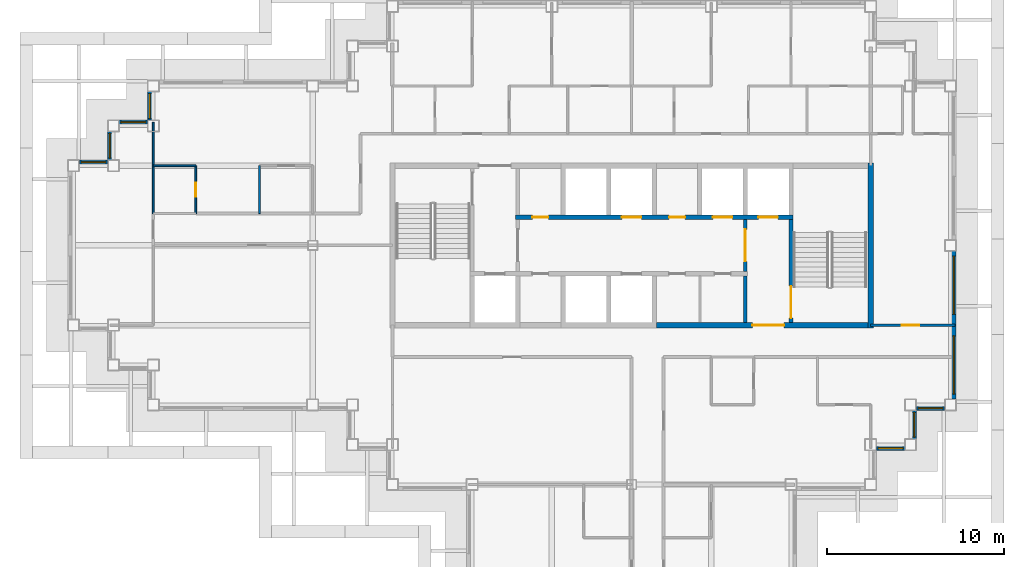
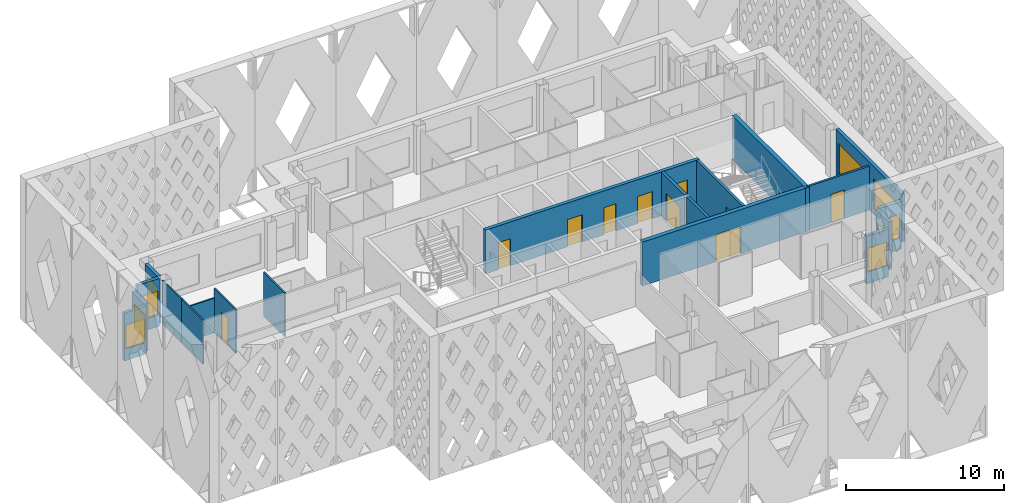
# One storey, part 5 of 17: 20 walls, 10 doors, 9 windows, 19 openings.
"""IFC4 building model written with IfcOpenShell, lengths in metres."""

from ifc_helpers import new_model, si_unit, direction, frame, frame_2d, origin, place, context, subcontext, project, spatial, rectangle, extrude, material, layer, layer_set, type_object, element, fill, save


model = new_model("IFC4")

# Units and contexts
model_context = context("Model", 3, precision=1e-05, world=origin(), true_north=direction((0.0, 1.0)))
body_context = subcontext(model_context, "Body", "Model", "MODEL_VIEW")
ifc_project = project(units=[si_unit("LENGTHUNIT", "METRE"), si_unit("AREAUNIT", "SQUARE_METRE"), si_unit("VOLUMEUNIT", "CUBIC_METRE"), si_unit("PLANEANGLEUNIT", "RADIAN"), si_unit("MASSUNIT", "GRAM", prefix="KILO")], contexts=[model_context])

# Site, building, storey
site_placement = place(None, origin())
site = spatial("IfcSite", under=ifc_project, at=site_placement, CompositionType="ELEMENT")
building_placement = place(site_placement, origin())
building = spatial("IfcBuilding", under=site, at=building_placement, Name="Caravel Reach Hotel and Residences", CompositionType="ELEMENT")
storey_placement = place(building_placement, frame((0.0, 0.0, 222.0)))
storey = spatial("IfcBuildingStorey", under=building, at=storey_placement, Name="L56", CompositionType="ELEMENT", Elevation=222.0)

# Walls
ifc_material_1 = material(Name="Gypsum board on steel stud", Category="steel")
ifc_layer_1 = layer(ifc_material_1, 0.10009765625)
ifc_layer_set_1 = layer_set([ifc_layer_1], Name="Bathroom pod wall 100 mm")
wall_type_1 = type_object("IfcWallType", Name="Bathroom pod wall 100 mm", PredefinedType="PARTITIONING", material=ifc_layer_set_1)
wall_1_placement = place(storey_placement, frame((4.5, 31.5, 0.0), z_axis=(0.0, 0.0, 1.0), x_axis=(1.0, 0.0, 0.0)))
element("IfcWall", 1, at=wall_1_placement, inside=storey, type_object=wall_type_1, Name="L56 wall w080", PredefinedType="PARTITIONING", context=body_context, shape_type="SweptSolid", body=[
    extrude(rectangle(XDim=2.39990234375, YDim=0.10009765625, at=frame_2d((1.199951171875, 0.0))), origin(), (0.0, 0.0, 1.0), 2.679931640625),
])
wall_2_placement = place(storey_placement, frame((4.5, 28.800048828125, 0.0), z_axis=(0.0, 0.0, 1.0), x_axis=(0.0, 1.0, 0.0)))
element("IfcWall", 2, at=wall_2_placement, inside=storey, type_object=wall_type_1, Name="L56 wall w102", PredefinedType="PARTITIONING", context=body_context, shape_type="SweptSolid", body=[
    extrude(rectangle(XDim=2.699951171875, YDim=0.10009765625, at=frame_2d((1.35009765625, 0.0))), origin(), (0.0, 0.0, 1.0), 3.39990234375),
])

# Wall, opening, door
wall_3_placement = place(storey_placement, frame((6.89990234375, 28.800048828125, 0.0), z_axis=(0.0, 0.0, 1.0), x_axis=(0.0, 1.0, 0.0)))
wall_3 = element("IfcWall", 3, at=wall_3_placement, inside=storey, type_object=wall_type_1, Name="L56 wall w104", PredefinedType="PARTITIONING", context=body_context, shape_type="SweptSolid", body=[
    extrude(rectangle(XDim=2.699951171875, YDim=0.10009765625, at=frame_2d((1.35009765625, 0.0))), origin(), (0.0, 0.0, 1.0), 3.39990234375),
])
opening_1_placement = place(wall_3_placement, frame((0.949951171875, 0.0, 0.0)))
opening_1 = element("IfcOpeningElement", 4, at=opening_1_placement, cuts=wall_3, Name="Opening D56-030", PredefinedType="OPENING", context=body_context, shape_type="SweptSolid", body=[
    extrude(rectangle(XDim=0.800048828125, YDim=2.10009765625, at=frame_2d((0.39990234375, 1.050048828125))), frame((0.0, 0.06005859375, 0.0), z_axis=(0.0, -1.0, 0.0), x_axis=(1.0, 0.0, 0.0)), (0.0, 0.0, 1.0), 0.1201171875),
])
ifc_material_2 = material(Name="Timber and steel door leaf", Category="steel")
door_type_1 = type_object("IfcDoorType", Name="Bathroom door 800 x 2100", OperationType="SINGLE_SWING_LEFT", PredefinedType="DOOR", material=ifc_material_2)
door_1_placement = place(opening_1_placement, origin())
door_1 = element("IfcDoor", 5, at=door_1_placement, inside=storey, type_object=door_type_1, Name="door D56-030", OperationType="SINGLE_SWING_RIGHT", OverallHeight=2.10009765625, OverallWidth=0.800048828125, PredefinedType="DOOR", context=body_context, shape_type="SweptSolid", body=[
    extrude(rectangle(XDim=0.800048828125, YDim=2.10009765625, at=frame_2d((0.39990234375, 1.050048828125))), frame((0.0, 0.02490234375, 0.0), z_axis=(0.0, -1.0, 0.0), x_axis=(1.0, 0.0, 0.0)), (0.0, 0.0, 1.0), 0.050048828125),
])
fill(opening_1, door_1)

# Wall
ifc_material_3 = material(Name="Autoclaved aerated block wall")
ifc_layer_2 = layer(ifc_material_3, 0.199951171875)
ifc_layer_set_2 = layer_set([ifc_layer_2], Name="Compartment wall 200 mm EI 120")
wall_type_2 = type_object("IfcWallType", Name="Compartment wall 200 mm EI 120", PredefinedType="PARTITIONING", material=ifc_layer_set_2)
wall_4_placement = place(storey_placement, frame((37.928466796875, 22.64990234375, 0.0), z_axis=(0.0, 0.0, 1.0), x_axis=(0.0, 1.0, 0.0)))
element("IfcWall", 6, at=wall_4_placement, inside=storey, type_object=wall_type_2, Name="L56 store partition", PredefinedType="PARTITIONING", context=body_context, shape_type="SweptSolid", body=[
    extrude(rectangle(XDim=2.625, YDim=0.199951171875, at=frame_2d((1.3125, 0.0))), origin(), (0.0, 0.0, 1.0), 3.39990234375),
])

# Wall, opening, door
ifc_material_4 = material(Name="Concrete C60", Category="concrete")
ifc_layer_3 = layer(ifc_material_4, 0.300048828125)
ifc_layer_set_3 = layer_set([ifc_layer_3], Name="Core wall 300 mm EI 120")
wall_type_3 = type_object("IfcWallType", Name="Core wall 300 mm EI 120", PredefinedType="SHEAR", material=ifc_layer_set_3)
wall_5_placement = place(storey_placement, frame((32.91064453125, 22.5, 0.0), z_axis=(0.0, 0.0, 1.0), x_axis=(1.0, 0.0, 0.0)))
wall_5 = element("IfcWall", 7, at=wall_5_placement, inside=storey, type_object=wall_type_3, Name="L56 core wall S3", PredefinedType="SHEAR", context=body_context, shape_type="SweptSolid", body=[
    extrude(rectangle(XDim=11.939453125, YDim=0.300048828125, at=frame_2d((5.9697265625, 0.0))), origin(), (0.0, 0.0, 1.0), 3.39990234375),
])
opening_2_placement = place(wall_5_placement, frame((5.403564453125, 0.0, 0.0)))
opening_2 = element("IfcOpeningElement", 8, at=opening_2_placement, cuts=wall_5, Name="Opening D56-016", PredefinedType="OPENING", context=body_context, shape_type="SweptSolid", body=[
    extrude(rectangle(XDim=1.800048828125, YDim=2.10009765625, at=frame_2d((0.89990234375, 1.050048828125))), frame((0.0, 0.159912109375, 0.0), z_axis=(0.0, -1.0, 0.0), x_axis=(1.0, 0.0, 0.0)), (0.0, 0.0, 1.0), 0.320068359375),
])
ifc_material_5 = material(Name="Steel fire door leaf", Category="steel")
door_type_2 = type_object("IfcDoorType", Name="Fire lobby door pair 1800 x 2100 EI 90", OperationType="DOUBLE_DOOR_SINGLE_SWING", PredefinedType="DOOR", material=ifc_material_5)
door_2_placement = place(opening_2_placement, origin())
door_2 = element("IfcDoor", 9, at=door_2_placement, inside=storey, type_object=door_type_2, Name="lobby S door pair to corridor", OperationType="DOUBLE_DOOR_SINGLE_SWING", OverallHeight=2.10009765625, OverallWidth=1.800048828125, PredefinedType="DOOR", context=body_context, shape_type="SweptSolid", body=[
    extrude(rectangle(XDim=1.800048828125, YDim=2.10009765625, at=frame_2d((0.89990234375, 1.050048828125))), frame((0.0, 0.02490234375, 0.0), z_axis=(0.0, -1.0, 0.0), x_axis=(1.0, 0.0, 0.0)), (0.0, 0.0, 1.0), 0.050048828125),
])
fill(opening_2, door_2)

# Wall
wall_6_placement = place(storey_placement, frame((45.0, 22.35009765625, 0.0), z_axis=(0.0, 0.0, 1.0), x_axis=(0.0, 1.0, 0.0)))
element("IfcWall", 10, at=wall_6_placement, inside=storey, type_object=wall_type_3, Name="L56 core wall E", PredefinedType="SHEAR", context=body_context, shape_type="SweptSolid", body=[
    extrude(rectangle(XDim=9.2998046875, YDim=0.300048828125, at=frame_2d((4.64990234375, 0.0))), origin(), (0.0, 0.0, 1.0), 3.39990234375),
])

# Wall, opening, door
ifc_material_6 = material(Name="Gypsum board on steel stud, fire-rated", Category="steel")
ifc_layer_4 = layer(ifc_material_6, 0.14990234375)
ifc_layer_set_4 = layer_set([ifc_layer_4], Name="Corridor wall 150 mm EI 60")
wall_type_4 = type_object("IfcWallType", Name="Corridor wall 150 mm EI 60", PredefinedType="PARTITIONING", material=ifc_layer_set_4)
wall_7_placement = place(storey_placement, frame((45.0, 22.5, 0.0), z_axis=(0.0, 0.0, 1.0), x_axis=(1.0, 0.0, 0.0)))
wall_7 = element("IfcWall", 11, at=wall_7_placement, inside=storey, type_object=wall_type_4, Name="L56 wall w006", PredefinedType="PARTITIONING", context=body_context, shape_type="SweptSolid", body=[
    extrude(rectangle(XDim=4.764892578125, YDim=0.14990234375, at=frame_2d((2.38232421875, 0.0))), origin(), (0.0, 0.0, 1.0), 3.39990234375),
])
opening_3_placement = place(wall_7_placement, frame((1.75, 0.0, 0.0)))
opening_3 = element("IfcOpeningElement", 12, at=opening_3_placement, cuts=wall_7, Name="Opening D56-044", PredefinedType="OPENING", context=body_context, shape_type="SweptSolid", body=[
    extrude(rectangle(XDim=1.0, YDim=2.199951171875, at=frame_2d((0.5, 1.10009765625))), frame((0.0, 0.0849609375, 0.0), z_axis=(0.0, -1.0, 0.0), x_axis=(1.0, 0.0, 0.0)), (0.0, 0.0, 1.0), 0.169921875),
])
ifc_material_7 = material(Name="Steel fire door leaf", Category="steel")
door_type_3 = type_object("IfcDoorType", Name="Flat entrance door 1000 x 2200 EI 60", OperationType="SINGLE_SWING_LEFT", PredefinedType="DOOR", material=ifc_material_7)
door_3_placement = place(opening_3_placement, origin())
door_3 = element("IfcDoor", 13, at=door_3_placement, inside=storey, type_object=door_type_3, Name="door D56-044", OperationType="SINGLE_SWING_RIGHT", OverallHeight=2.199951171875, OverallWidth=1.0, PredefinedType="DOOR", context=body_context, shape_type="SweptSolid", body=[
    extrude(rectangle(XDim=1.0, YDim=2.199951171875, at=frame_2d((0.5, 1.10009765625))), frame((0.0, 0.02490234375, 0.0), z_axis=(0.0, -1.0, 0.0), x_axis=(1.0, 0.0, 0.0)), (0.0, 0.0, 1.0), 0.050048828125),
])
fill(opening_3, door_3)

# Wall, opening, window
ifc_material_8 = material(Name="Insulated rainscreen wall, aluminium cladding", Category="aluminium")
ifc_layer_5 = layer(ifc_material_8, 0.25)
ifc_layer_set_5 = layer_set([ifc_layer_5], Name="EW1 Tower rainscreen wall")
wall_type_5 = type_object("IfcWallType", Name="EW1 Tower rainscreen wall", PredefinedType="SOLIDWALL", material=ifc_layer_set_5)
wall_8_placement = place(storey_placement, frame((45.324951171875, 15.550048828125, 0.0), z_axis=(0.0, 0.0, 1.0), x_axis=(1.0, 0.0, 0.0)))
wall_8 = element("IfcWall", 14, at=wall_8_placement, inside=storey, type_object=wall_type_5, Name="External wall L56 S3.1", PredefinedType="SOLIDWALL", context=body_context, shape_type="SweptSolid", body=[
    extrude(rectangle(XDim=1.60009765625, YDim=0.25, at=frame_2d((0.800048828125, 0.0))), origin(), (0.0, 0.0, 1.0), 3.699951171875),
])
opening_4_placement = place(wall_8_placement, frame((0.10009765625, 0.0, 0.89990234375)))
opening_4 = element("IfcOpeningElement", 15, at=opening_4_placement, cuts=wall_8, Name="Opening WN22", PredefinedType="OPENING", context=body_context, shape_type="SweptSolid", body=[
    extrude(rectangle(XDim=1.39990234375, YDim=1.85009765625, at=frame_2d((0.699951171875, 0.925048828125))), frame((0.0, 0.135009765625, 0.0), z_axis=(0.0, -1.0, 0.0), x_axis=(1.0, 0.0, 0.0)), (0.0, 0.0, 1.0), 0.27001953125),
])
ifc_material_9 = material(Name="Dark low-e glazing in black aluminium frame", Category="aluminium")
window_type_1 = type_object("IfcWindowType", Name="Residence bedroom window 1400 x 1850", PartitioningType="SINGLE_PANEL", PredefinedType="WINDOW", material=ifc_material_9)
window_1_placement = place(opening_4_placement, origin())
window_1 = element("IfcWindow", 16, at=window_1_placement, inside=storey, type_object=window_type_1, Name="Window L56 S3.1.1", OverallHeight=1.85009765625, OverallWidth=1.39990234375, PartitioningType="SINGLE_PANEL", PredefinedType="WINDOW", context=body_context, shape_type="SweptSolid", body=[
    extrude(rectangle(XDim=1.39990234375, YDim=1.85009765625, at=frame_2d((0.699951171875, 0.925048828125))), frame((0.0, 0.030029296875, 0.0), z_axis=(0.0, -1.0, 0.0), x_axis=(1.0, 0.0, 0.0)), (0.0, 0.0, 1.0), 0.06005859375),
])
fill(opening_4, window_1)

wall_9_placement = place(storey_placement, frame((47.449951171875, 16.074951171875, 0.0), z_axis=(0.0, 0.0, 1.0), x_axis=(0.0, 1.0, 0.0)))
wall_9 = element("IfcWall", 17, at=wall_9_placement, inside=storey, type_object=wall_type_5, Name="External wall L56 E4.1", PredefinedType="SOLIDWALL", context=body_context, shape_type="SweptSolid", body=[
    extrude(rectangle(XDim=1.60009765625, YDim=0.25, at=frame_2d((0.800048828125, 0.0))), origin(), (0.0, 0.0, 1.0), 3.699951171875),
])
opening_5_placement = place(wall_9_placement, frame((0.10009765625, 0.0, 0.89990234375)))
opening_5 = element("IfcOpeningElement", 18, at=opening_5_placement, cuts=wall_9, Name="Opening WN22", PredefinedType="OPENING", context=body_context, shape_type="SweptSolid", body=[
    extrude(rectangle(XDim=1.39990234375, YDim=1.85009765625, at=frame_2d((0.699951171875, 0.925048828125))), frame((0.0, 0.135009765625, 0.0), z_axis=(0.0, -1.0, 0.0), x_axis=(1.0, 0.0, 0.0)), (0.0, 0.0, 1.0), 0.27001953125),
])
window_2_placement = place(opening_5_placement, origin())
window_2 = element("IfcWindow", 19, at=window_2_placement, inside=storey, type_object=window_type_1, Name="Window L56 E4.1.1", OverallHeight=1.85009765625, OverallWidth=1.39990234375, PartitioningType="SINGLE_PANEL", PredefinedType="WINDOW", context=body_context, shape_type="SweptSolid", body=[
    extrude(rectangle(XDim=1.39990234375, YDim=1.85009765625, at=frame_2d((0.699951171875, 0.925048828125))), frame((0.0, 0.030029296875, 0.0), z_axis=(0.0, -1.0, 0.0), x_axis=(1.0, 0.0, 0.0)), (0.0, 0.0, 1.0), 0.06005859375),
])
fill(opening_5, window_2)

wall_10_placement = place(storey_placement, frame((47.574951171875, 17.800048828125, 0.0), z_axis=(0.0, 0.0, 1.0), x_axis=(1.0, 0.0, 0.0)))
wall_10 = element("IfcWall", 20, at=wall_10_placement, inside=storey, type_object=wall_type_5, Name="External wall L56 S5.1", PredefinedType="SOLIDWALL", context=body_context, shape_type="SweptSolid", body=[
    extrude(rectangle(XDim=1.60009765625, YDim=0.25, at=frame_2d((0.800048828125, 0.0))), origin(), (0.0, 0.0, 1.0), 3.699951171875),
])
opening_6_placement = place(wall_10_placement, frame((0.10009765625, 0.0, 0.89990234375)))
opening_6 = element("IfcOpeningElement", 21, at=opening_6_placement, cuts=wall_10, Name="Opening WN22", PredefinedType="OPENING", context=body_context, shape_type="SweptSolid", body=[
    extrude(rectangle(XDim=1.39990234375, YDim=1.85009765625, at=frame_2d((0.699951171875, 0.925048828125))), frame((0.0, 0.135009765625, 0.0), z_axis=(0.0, -1.0, 0.0), x_axis=(1.0, 0.0, 0.0)), (0.0, 0.0, 1.0), 0.27001953125),
])
window_3_placement = place(opening_6_placement, origin())
window_3 = element("IfcWindow", 22, at=window_3_placement, inside=storey, type_object=window_type_1, Name="Window L56 S5.1.1", OverallHeight=1.85009765625, OverallWidth=1.39990234375, PartitioningType="SINGLE_PANEL", PredefinedType="WINDOW", context=body_context, shape_type="SweptSolid", body=[
    extrude(rectangle(XDim=1.39990234375, YDim=1.85009765625, at=frame_2d((0.699951171875, 0.925048828125))), frame((0.0, 0.030029296875, 0.0), z_axis=(0.0, -1.0, 0.0), x_axis=(1.0, 0.0, 0.0)), (0.0, 0.0, 1.0), 0.06005859375),
])
fill(opening_6, window_3)

# Wall, openings, windows
wall_11_placement = place(storey_placement, frame((49.699951171875, 18.324951171875, 0.0), z_axis=(0.0, 0.0, 1.0), x_axis=(0.0, 1.0, 0.0)))
wall_11 = element("IfcWall", 23, at=wall_11_placement, inside=storey, type_object=wall_type_5, Name="External wall L56 E6.1", PredefinedType="SOLIDWALL", context=body_context, shape_type="SweptSolid", body=[
    extrude(rectangle(XDim=8.35009765625, YDim=0.25, at=frame_2d((4.175048828125, 0.0))), origin(), (0.0, 0.0, 1.0), 3.699951171875),
])
opening_7_placement = place(wall_11_placement, frame((0.27490234375, 0.0, 0.449951171875)))
opening_7 = element("IfcOpeningElement", 24, at=opening_7_placement, cuts=wall_11, Name="Opening WN15", PredefinedType="OPENING", context=body_context, shape_type="SweptSolid", body=[
    extrude(rectangle(XDim=3.300048828125, YDim=2.300048828125, at=frame_2d((1.64990234375, 1.14990234375))), frame((0.0, 0.135009765625, 0.0), z_axis=(0.0, -1.0, 0.0), x_axis=(1.0, 0.0, 0.0)), (0.0, 0.0, 1.0), 0.27001953125),
])
opening_8_placement = place(wall_11_placement, frame((4.77490234375, 0.0, 0.449951171875)))
opening_8 = element("IfcOpeningElement", 25, at=opening_8_placement, cuts=wall_11, Name="Opening WN15", PredefinedType="OPENING", context=body_context, shape_type="SweptSolid", body=[
    extrude(rectangle(XDim=3.300048828125, YDim=2.300048828125, at=frame_2d((1.64990234375, 1.14990234375))), frame((0.0, 0.135009765625, 0.0), z_axis=(0.0, -1.0, 0.0), x_axis=(1.0, 0.0, 0.0)), (0.0, 0.0, 1.0), 0.27001953125),
])
ifc_material_10 = material(Name="Dark low-e glazing in black aluminium frame", Category="aluminium")
window_type_2 = type_object("IfcWindowType", Name="Residence living window 3300 x 2300", PartitioningType="SINGLE_PANEL", PredefinedType="WINDOW", material=ifc_material_10)
window_4_placement = place(opening_7_placement, origin())
window_4 = element("IfcWindow", 26, at=window_4_placement, inside=storey, type_object=window_type_2, Name="Window L56 E6.1.1", OverallHeight=2.300048828125, OverallWidth=3.300048828125, PartitioningType="SINGLE_PANEL", PredefinedType="WINDOW", context=body_context, shape_type="SweptSolid", body=[
    extrude(rectangle(XDim=3.300048828125, YDim=2.300048828125, at=frame_2d((1.64990234375, 1.14990234375))), frame((0.0, 0.030029296875, 0.0), z_axis=(0.0, -1.0, 0.0), x_axis=(1.0, 0.0, 0.0)), (0.0, 0.0, 1.0), 0.06005859375),
])
fill(opening_7, window_4)
window_5_placement = place(opening_8_placement, origin())
window_5 = element("IfcWindow", 27, at=window_5_placement, inside=storey, type_object=window_type_2, Name="Window L56 E6.1.2", OverallHeight=2.300048828125, OverallWidth=3.300048828125, PartitioningType="SINGLE_PANEL", PredefinedType="WINDOW", context=body_context, shape_type="SweptSolid", body=[
    extrude(rectangle(XDim=3.300048828125, YDim=2.300048828125, at=frame_2d((1.64990234375, 1.14990234375))), frame((0.0, 0.030029296875, 0.0), z_axis=(0.0, -1.0, 0.0), x_axis=(1.0, 0.0, 0.0)), (0.0, 0.0, 1.0), 0.06005859375),
])
fill(opening_8, window_5)

# Wall, opening, window
wall_12_placement = place(storey_placement, frame((4.300048828125, 35.675048828125, 0.0), z_axis=(0.0, 0.0, 1.0), x_axis=(0.0, -1.0, 0.0)))
wall_12 = element("IfcWall", 28, at=wall_12_placement, inside=storey, type_object=wall_type_5, Name="External wall L56 W16.1", PredefinedType="SOLIDWALL", context=body_context, shape_type="SweptSolid", body=[
    extrude(rectangle(XDim=1.60009765625, YDim=0.25, at=frame_2d((0.800048828125, 0.0))), origin(), (0.0, 0.0, 1.0), 3.699951171875),
])
opening_9_placement = place(wall_12_placement, frame((0.10009765625, 0.0, 0.89990234375)))
opening_9 = element("IfcOpeningElement", 29, at=opening_9_placement, cuts=wall_12, Name="Opening WN22", PredefinedType="OPENING", context=body_context, shape_type="SweptSolid", body=[
    extrude(rectangle(XDim=1.39990234375, YDim=1.85009765625, at=frame_2d((0.699951171875, 0.925048828125))), frame((0.0, 0.135009765625, 0.0), z_axis=(0.0, -1.0, 0.0), x_axis=(1.0, 0.0, 0.0)), (0.0, 0.0, 1.0), 0.27001953125),
])
window_6_placement = place(opening_9_placement, origin())
window_6 = element("IfcWindow", 30, at=window_6_placement, inside=storey, type_object=window_type_1, Name="Window L56 W16.1.1", OverallHeight=1.85009765625, OverallWidth=1.39990234375, PartitioningType="SINGLE_PANEL", PredefinedType="WINDOW", context=body_context, shape_type="SweptSolid", body=[
    extrude(rectangle(XDim=1.39990234375, YDim=1.85009765625, at=frame_2d((0.699951171875, 0.925048828125))), frame((0.0, 0.030029296875, 0.0), z_axis=(0.0, -1.0, 0.0), x_axis=(1.0, 0.0, 0.0)), (0.0, 0.0, 1.0), 0.06005859375),
])
fill(opening_9, window_6)

wall_13_placement = place(storey_placement, frame((4.175048828125, 33.949951171875, 0.0), z_axis=(0.0, 0.0, 1.0), x_axis=(-1.0, 0.0, 0.0)))
wall_13 = element("IfcWall", 31, at=wall_13_placement, inside=storey, type_object=wall_type_5, Name="External wall L56 N17.1", PredefinedType="SOLIDWALL", context=body_context, shape_type="SweptSolid", body=[
    extrude(rectangle(XDim=1.60009765625, YDim=0.25, at=frame_2d((0.800048828125, 0.0))), origin(), (0.0, 0.0, 1.0), 3.699951171875),
])
opening_10_placement = place(wall_13_placement, frame((0.10009765625, 0.0, 0.89990234375)))
opening_10 = element("IfcOpeningElement", 32, at=opening_10_placement, cuts=wall_13, Name="Opening WN22", PredefinedType="OPENING", context=body_context, shape_type="SweptSolid", body=[
    extrude(rectangle(XDim=1.39990234375, YDim=1.85009765625, at=frame_2d((0.699951171875, 0.925048828125))), frame((0.0, 0.135009765625, 0.0), z_axis=(0.0, -1.0, 0.0), x_axis=(1.0, 0.0, 0.0)), (0.0, 0.0, 1.0), 0.27001953125),
])
window_7_placement = place(opening_10_placement, origin())
window_7 = element("IfcWindow", 33, at=window_7_placement, inside=storey, type_object=window_type_1, Name="Window L56 N17.1.1", OverallHeight=1.85009765625, OverallWidth=1.39990234375, PartitioningType="SINGLE_PANEL", PredefinedType="WINDOW", context=body_context, shape_type="SweptSolid", body=[
    extrude(rectangle(XDim=1.39990234375, YDim=1.85009765625, at=frame_2d((0.699951171875, 0.925048828125))), frame((0.0, 0.030029296875, 0.0), z_axis=(0.0, -1.0, 0.0), x_axis=(1.0, 0.0, 0.0)), (0.0, 0.0, 1.0), 0.06005859375),
])
fill(opening_10, window_7)

wall_14_placement = place(storey_placement, frame((2.050048828125, 33.425048828125, 0.0), z_axis=(0.0, 0.0, 1.0), x_axis=(0.0, -1.0, 0.0)))
wall_14 = element("IfcWall", 34, at=wall_14_placement, inside=storey, type_object=wall_type_5, Name="External wall L56 W18.1", PredefinedType="SOLIDWALL", context=body_context, shape_type="SweptSolid", body=[
    extrude(rectangle(XDim=1.60009765625, YDim=0.25, at=frame_2d((0.800048828125, 0.0))), origin(), (0.0, 0.0, 1.0), 3.699951171875),
])
opening_11_placement = place(wall_14_placement, frame((0.10009765625, 0.0, 0.89990234375)))
opening_11 = element("IfcOpeningElement", 35, at=opening_11_placement, cuts=wall_14, Name="Opening WN22", PredefinedType="OPENING", context=body_context, shape_type="SweptSolid", body=[
    extrude(rectangle(XDim=1.39990234375, YDim=1.85009765625, at=frame_2d((0.699951171875, 0.925048828125))), frame((0.0, 0.135009765625, 0.0), z_axis=(0.0, -1.0, 0.0), x_axis=(1.0, 0.0, 0.0)), (0.0, 0.0, 1.0), 0.27001953125),
])
window_8_placement = place(opening_11_placement, origin())
window_8 = element("IfcWindow", 36, at=window_8_placement, inside=storey, type_object=window_type_1, Name="Window L56 W18.1.1", OverallHeight=1.85009765625, OverallWidth=1.39990234375, PartitioningType="SINGLE_PANEL", PredefinedType="WINDOW", context=body_context, shape_type="SweptSolid", body=[
    extrude(rectangle(XDim=1.39990234375, YDim=1.85009765625, at=frame_2d((0.699951171875, 0.925048828125))), frame((0.0, 0.030029296875, 0.0), z_axis=(0.0, -1.0, 0.0), x_axis=(1.0, 0.0, 0.0)), (0.0, 0.0, 1.0), 0.06005859375),
])
fill(opening_11, window_8)

wall_15_placement = place(storey_placement, frame((1.925048828125, 31.699951171875, 0.0), z_axis=(0.0, 0.0, 1.0), x_axis=(-1.0, 0.0, 0.0)))
wall_15 = element("IfcWall", 37, at=wall_15_placement, inside=storey, type_object=wall_type_5, Name="External wall L56 N19.1", PredefinedType="SOLIDWALL", context=body_context, shape_type="SweptSolid", body=[
    extrude(rectangle(XDim=1.60009765625, YDim=0.25, at=frame_2d((0.800048828125, 0.0))), origin(), (0.0, 0.0, 1.0), 3.699951171875),
])
opening_12_placement = place(wall_15_placement, frame((0.10009765625, 0.0, 0.89990234375)))
opening_12 = element("IfcOpeningElement", 38, at=opening_12_placement, cuts=wall_15, Name="Opening WN22", PredefinedType="OPENING", context=body_context, shape_type="SweptSolid", body=[
    extrude(rectangle(XDim=1.39990234375, YDim=1.85009765625, at=frame_2d((0.699951171875, 0.925048828125))), frame((0.0, 0.135009765625, 0.0), z_axis=(0.0, -1.0, 0.0), x_axis=(1.0, 0.0, 0.0)), (0.0, 0.0, 1.0), 0.27001953125),
])
window_9_placement = place(opening_12_placement, origin())
window_9 = element("IfcWindow", 39, at=window_9_placement, inside=storey, type_object=window_type_1, Name="Window L56 N19.1.1", OverallHeight=1.85009765625, OverallWidth=1.39990234375, PartitioningType="SINGLE_PANEL", PredefinedType="WINDOW", context=body_context, shape_type="SweptSolid", body=[
    extrude(rectangle(XDim=1.39990234375, YDim=1.85009765625, at=frame_2d((0.699951171875, 0.925048828125))), frame((0.0, 0.030029296875, 0.0), z_axis=(0.0, -1.0, 0.0), x_axis=(1.0, 0.0, 0.0)), (0.0, 0.0, 1.0), 0.06005859375),
])
fill(opening_12, window_9)

# Wall, opening, door
ifc_material_11 = material(Name="Autoclaved aerated block wall")
ifc_layer_6 = layer(ifc_material_11, 0.199951171875)
ifc_layer_set_6 = layer_set([ifc_layer_6], Name="Fire lobby wall 200 mm EI 120")
wall_type_6 = type_object("IfcWallType", Name="Fire lobby wall 200 mm EI 120", PredefinedType="PARTITIONING", material=ifc_layer_set_6)
wall_16_placement = place(storey_placement, frame((37.928466796875, 25.52490234375, 0.0), z_axis=(0.0, 0.0, 1.0), x_axis=(0.0, 1.0, 0.0)))
wall_16 = element("IfcWall", 40, at=wall_16_placement, inside=storey, type_object=wall_type_6, Name="L56 lobby E wall", PredefinedType="PARTITIONING", context=body_context, shape_type="SweptSolid", body=[
    extrude(rectangle(XDim=2.9501953125, YDim=0.199951171875, at=frame_2d((1.47509765625, 0.0))), origin(), (0.0, 0.0, 1.0), 3.39990234375),
])
opening_13_placement = place(wall_16_placement, frame((0.574951171875, 0.0, 0.0)))
opening_13 = element("IfcOpeningElement", 41, at=opening_13_placement, cuts=wall_16, Name="Opening D56-014", PredefinedType="OPENING", context=body_context, shape_type="SweptSolid", body=[
    extrude(rectangle(XDim=1.800048828125, YDim=2.10009765625, at=frame_2d((0.89990234375, 1.050048828125))), frame((0.0, 0.10986328125, 0.0), z_axis=(0.0, -1.0, 0.0), x_axis=(1.0, 0.0, 0.0)), (0.0, 0.0, 1.0), 0.219970703125),
])
door_4_placement = place(opening_13_placement, origin())
door_4 = element("IfcDoor", 42, at=door_4_placement, inside=storey, type_object=door_type_2, Name="lobby E door pair", OperationType="DOUBLE_DOOR_SINGLE_SWING", OverallHeight=2.10009765625, OverallWidth=1.800048828125, PredefinedType="DOOR", context=body_context, shape_type="SweptSolid", body=[
    extrude(rectangle(XDim=1.800048828125, YDim=2.10009765625, at=frame_2d((0.89990234375, 1.050048828125))), frame((0.0, 0.02490234375, 0.0), z_axis=(0.0, -1.0, 0.0), x_axis=(1.0, 0.0, 0.0)), (0.0, 0.0, 1.0), 0.050048828125),
])
fill(opening_13, door_4)

# Walls
ifc_material_12 = material(Name="Gypsum board on steel stud", Category="steel")
ifc_layer_7 = layer(ifc_material_12, 0.10009765625)
ifc_layer_set_7 = layer_set([ifc_layer_7], Name="Partition 100 mm")
wall_type_7 = type_object("IfcWallType", Name="Partition 100 mm", PredefinedType="PARTITIONING", material=ifc_layer_set_7)
wall_17_placement = place(storey_placement, frame((10.5, 28.800048828125, 0.0), z_axis=(0.0, 0.0, 1.0), x_axis=(0.0, 1.0, 0.0)))
element("IfcWall", 43, at=wall_17_placement, inside=storey, type_object=wall_type_7, Name="L56 wall w047", PredefinedType="PARTITIONING", context=body_context, shape_type="SweptSolid", body=[
    extrude(rectangle(XDim=2.699951171875, YDim=0.10009765625, at=frame_2d((1.35009765625, 0.0))), origin(), (0.0, 0.0, 1.0), 3.39990234375),
])
wall_18_placement = place(storey_placement, frame((4.5, 31.5009765625, 0.0), z_axis=(0.0, 0.0, 1.0), x_axis=(0.0, 1.0, 0.0)))
element("IfcWall", 44, at=wall_18_placement, inside=storey, type_object=wall_type_7, Name="L56 wall w061", PredefinedType="PARTITIONING", context=body_context, shape_type="SweptSolid", body=[
    extrude(rectangle(XDim=2.43896484375, YDim=0.10009765625, at=frame_2d((1.219482421875, 0.0))), origin(), (0.0, 0.0, 1.0), 3.39990234375),
])

# Wall, openings, doors
ifc_material_13 = material(Name="Concrete C60", Category="concrete")
ifc_layer_8 = layer(ifc_material_13, 0.25)
ifc_layer_set_8 = layer_set([ifc_layer_8], Name="Shaft wall 250 mm EI 120")
wall_type_8 = type_object("IfcWallType", Name="Shaft wall 250 mm EI 120", PredefinedType="SHEAR", material=ifc_layer_set_8)
wall_19_placement = place(storey_placement, frame((24.946533203125, 28.60009765625, 0.0), z_axis=(0.0, 0.0, 1.0), x_axis=(1.0, 0.0, 0.0)))
wall_19 = element("IfcWall", 45, at=wall_19_placement, inside=storey, type_object=wall_type_8, Name="L56 lobby wall N1", PredefinedType="SHEAR", context=body_context, shape_type="SweptSolid", body=[
    extrude(rectangle(XDim=15.678466796875, YDim=0.25, at=frame_2d((7.83935546875, 0.0))), origin(), (0.0, 0.0, 1.0), 3.39990234375),
])
opening_14_placement = place(wall_19_placement, frame((6.003662109375, 0.0, 0.0)))
opening_14 = element("IfcOpeningElement", 46, at=opening_14_placement, cuts=wall_19, Name="Opening D56-002", PredefinedType="OPENING", context=body_context, shape_type="SweptSolid", body=[
    extrude(rectangle(XDim=1.10009765625, YDim=2.10009765625, at=frame_2d((0.550048828125, 1.050048828125))), frame((0.0, 0.135009765625, 0.0), z_axis=(0.0, -1.0, 0.0), x_axis=(1.0, 0.0, 0.0)), (0.0, 0.0, 1.0), 0.27001953125),
])
opening_15_placement = place(wall_19_placement, frame((11.146484375, 0.0, 0.0)))
opening_15 = element("IfcOpeningElement", 47, at=opening_15_placement, cuts=wall_19, Name="Opening D56-003", PredefinedType="OPENING", context=body_context, shape_type="SweptSolid", body=[
    extrude(rectangle(XDim=1.10009765625, YDim=2.10009765625, at=frame_2d((0.550048828125, 1.050048828125))), frame((0.0, 0.135009765625, 0.0), z_axis=(0.0, -1.0, 0.0), x_axis=(1.0, 0.0, 0.0)), (0.0, 0.0, 1.0), 0.27001953125),
])
opening_16_placement = place(wall_19_placement, frame((13.718017578125, 0.0, 0.0)))
opening_16 = element("IfcOpeningElement", 48, at=opening_16_placement, cuts=wall_19, Name="Opening D56-005", PredefinedType="OPENING", context=body_context, shape_type="SweptSolid", body=[
    extrude(rectangle(XDim=1.10009765625, YDim=2.10009765625, at=frame_2d((0.550048828125, 1.050048828125))), frame((0.0, 0.135009765625, 0.0), z_axis=(0.0, -1.0, 0.0), x_axis=(1.0, 0.0, 0.0)), (0.0, 0.0, 1.0), 0.27001953125),
])
opening_17_placement = place(wall_19_placement, frame((0.960693359375, 0.0, 0.0)))
opening_17 = element("IfcOpeningElement", 49, at=opening_17_placement, cuts=wall_19, Name="Opening D56-009", PredefinedType="OPENING", context=body_context, shape_type="SweptSolid", body=[
    extrude(rectangle(XDim=0.89990234375, YDim=2.10009765625, at=frame_2d((0.449951171875, 1.050048828125))), frame((0.0, 0.135009765625, 0.0), z_axis=(0.0, -1.0, 0.0), x_axis=(1.0, 0.0, 0.0)), (0.0, 0.0, 1.0), 0.27001953125),
])
opening_18_placement = place(wall_19_placement, frame((8.675048828125, 0.0, 0.0)))
opening_18 = element("IfcOpeningElement", 50, at=opening_18_placement, cuts=wall_19, Name="Opening D56-010", PredefinedType="OPENING", context=body_context, shape_type="SweptSolid", body=[
    extrude(rectangle(XDim=0.89990234375, YDim=2.10009765625, at=frame_2d((0.449951171875, 1.050048828125))), frame((0.0, 0.135009765625, 0.0), z_axis=(0.0, -1.0, 0.0), x_axis=(1.0, 0.0, 0.0)), (0.0, 0.0, 1.0), 0.27001953125),
])
ifc_material_14 = material(Name="Stainless steel landing door", Category="steel")
door_type_4 = type_object("IfcDoorType", Name="Landing door LD 1100 x 2100 sliding", OperationType="DOUBLE_DOOR_SLIDING", PredefinedType="DOOR", material=ifc_material_14)
door_5_placement = place(opening_14_placement, origin())
door_5 = element("IfcDoor", 51, at=door_5_placement, inside=storey, type_object=door_type_4, Name="MP2 landing door", OperationType="DOUBLE_DOOR_SLIDING", OverallHeight=2.10009765625, OverallWidth=1.10009765625, PredefinedType="DOOR", context=body_context, shape_type="SweptSolid", body=[
    extrude(rectangle(XDim=1.10009765625, YDim=2.10009765625, at=frame_2d((0.550048828125, 1.050048828125))), frame((0.0, 0.02490234375, 0.0), z_axis=(0.0, -1.0, 0.0), x_axis=(1.0, 0.0, 0.0)), (0.0, 0.0, 1.0), 0.050048828125),
])
fill(opening_14, door_5)
door_6_placement = place(opening_15_placement, origin())
door_6 = element("IfcDoor", 52, at=door_6_placement, inside=storey, type_object=door_type_4, Name="MP3 landing door", OperationType="DOUBLE_DOOR_SLIDING", OverallHeight=2.10009765625, OverallWidth=1.10009765625, PredefinedType="DOOR", context=body_context, shape_type="SweptSolid", body=[
    extrude(rectangle(XDim=1.10009765625, YDim=2.10009765625, at=frame_2d((0.550048828125, 1.050048828125))), frame((0.0, 0.02490234375, 0.0), z_axis=(0.0, -1.0, 0.0), x_axis=(1.0, 0.0, 0.0)), (0.0, 0.0, 1.0), 0.050048828125),
])
fill(opening_15, door_6)
door_7_placement = place(opening_16_placement, origin())
door_7 = element("IfcDoor", 53, at=door_7_placement, inside=storey, type_object=door_type_4, Name="FL2 landing door", OperationType="DOUBLE_DOOR_SLIDING", OverallHeight=2.10009765625, OverallWidth=1.10009765625, PredefinedType="DOOR", context=body_context, shape_type="SweptSolid", body=[
    extrude(rectangle(XDim=1.10009765625, YDim=2.10009765625, at=frame_2d((0.550048828125, 1.050048828125))), frame((0.0, 0.02490234375, 0.0), z_axis=(0.0, -1.0, 0.0), x_axis=(1.0, 0.0, 0.0)), (0.0, 0.0, 1.0), 0.050048828125),
])
fill(opening_16, door_7)
ifc_material_15 = material(Name="Steel fire door leaf", Category="steel")
door_type_5 = type_object("IfcDoorType", Name="Riser door 900 x 2100 EI 60", OperationType="SINGLE_SWING_LEFT", PredefinedType="DOOR", material=ifc_material_15)
door_8_placement = place(opening_17_placement, origin())
door_8 = element("IfcDoor", 54, at=door_8_placement, inside=storey, type_object=door_type_5, Name="Housekeeping store door", OperationType="SINGLE_SWING_LEFT", OverallHeight=2.10009765625, OverallWidth=0.89990234375, PredefinedType="DOOR", context=body_context, shape_type="SweptSolid", body=[
    extrude(rectangle(XDim=0.89990234375, YDim=2.10009765625, at=frame_2d((0.449951171875, 1.050048828125))), frame((0.0, 0.02490234375, 0.0), z_axis=(0.0, -1.0, 0.0), x_axis=(1.0, 0.0, 0.0)), (0.0, 0.0, 1.0), 0.050048828125),
])
fill(opening_17, door_8)
door_9_placement = place(opening_18_placement, origin())
door_9 = element("IfcDoor", 55, at=door_9_placement, inside=storey, type_object=door_type_5, Name="Mail store door", OperationType="SINGLE_SWING_LEFT", OverallHeight=2.10009765625, OverallWidth=0.89990234375, PredefinedType="DOOR", context=body_context, shape_type="SweptSolid", body=[
    extrude(rectangle(XDim=0.89990234375, YDim=2.10009765625, at=frame_2d((0.449951171875, 1.050048828125))), frame((0.0, 0.02490234375, 0.0), z_axis=(0.0, -1.0, 0.0), x_axis=(1.0, 0.0, 0.0)), (0.0, 0.0, 1.0), 0.050048828125),
])
fill(opening_18, door_9)

# Wall, opening, door
ifc_material_16 = material(Name="Concrete C60", Category="concrete")
ifc_layer_9 = layer(ifc_material_16, 0.199951171875)
ifc_layer_set_9 = layer_set([ifc_layer_9], Name="Stair enclosure wall 200 mm EI 120")
wall_type_9 = type_object("IfcWallType", Name="Stair enclosure wall 200 mm EI 120", PredefinedType="SHEAR", material=ifc_layer_set_9)
wall_20_placement = place(storey_placement, frame((40.5, 22.64990234375, 0.0), z_axis=(0.0, 0.0, 1.0), x_axis=(0.0, 1.0, 0.0)))
wall_20 = element("IfcWall", 56, at=wall_20_placement, inside=storey, type_object=wall_type_9, Name="L56 stair B wall", PredefinedType="SHEAR", context=body_context, shape_type="SweptSolid", body=[
    extrude(rectangle(XDim=5.8251953125, YDim=0.199951171875, at=frame_2d((2.91259765625, 0.0))), origin(), (0.0, 0.0, 1.0), 3.39990234375),
])
opening_19_placement = place(wall_20_placement, frame((0.25, 0.0, 0.0)))
opening_19 = element("IfcOpeningElement", 57, at=opening_19_placement, cuts=wall_20, Name="Opening D56-012", PredefinedType="OPENING", context=body_context, shape_type="SweptSolid", body=[
    extrude(rectangle(XDim=1.800048828125, YDim=2.10009765625, at=frame_2d((0.89990234375, 1.050048828125))), frame((0.0, 0.10986328125, 0.0), z_axis=(0.0, -1.0, 0.0), x_axis=(1.0, 0.0, 0.0)), (0.0, 0.0, 1.0), 0.219970703125),
])
ifc_material_17 = material(Name="Steel fire door leaf", Category="steel")
door_type_6 = type_object("IfcDoorType", Name="Stair door pair 1800 x 2100 EI 90", OperationType="DOUBLE_DOOR_SINGLE_SWING", PredefinedType="DOOR", material=ifc_material_17)
door_10_placement = place(opening_19_placement, origin())
door_10 = element("IfcDoor", 58, at=door_10_placement, inside=storey, type_object=door_type_6, Name="stair B door pair", OperationType="DOUBLE_DOOR_SINGLE_SWING", OverallHeight=2.10009765625, OverallWidth=1.800048828125, PredefinedType="DOOR", context=body_context, shape_type="SweptSolid", body=[
    extrude(rectangle(XDim=1.800048828125, YDim=2.10009765625, at=frame_2d((0.89990234375, 1.050048828125))), frame((0.0, 0.02490234375, 0.0), z_axis=(0.0, -1.0, 0.0), x_axis=(1.0, 0.0, 0.0)), (0.0, 0.0, 1.0), 0.050048828125),
])
fill(opening_19, door_10)

save(model, "model.ifc")
